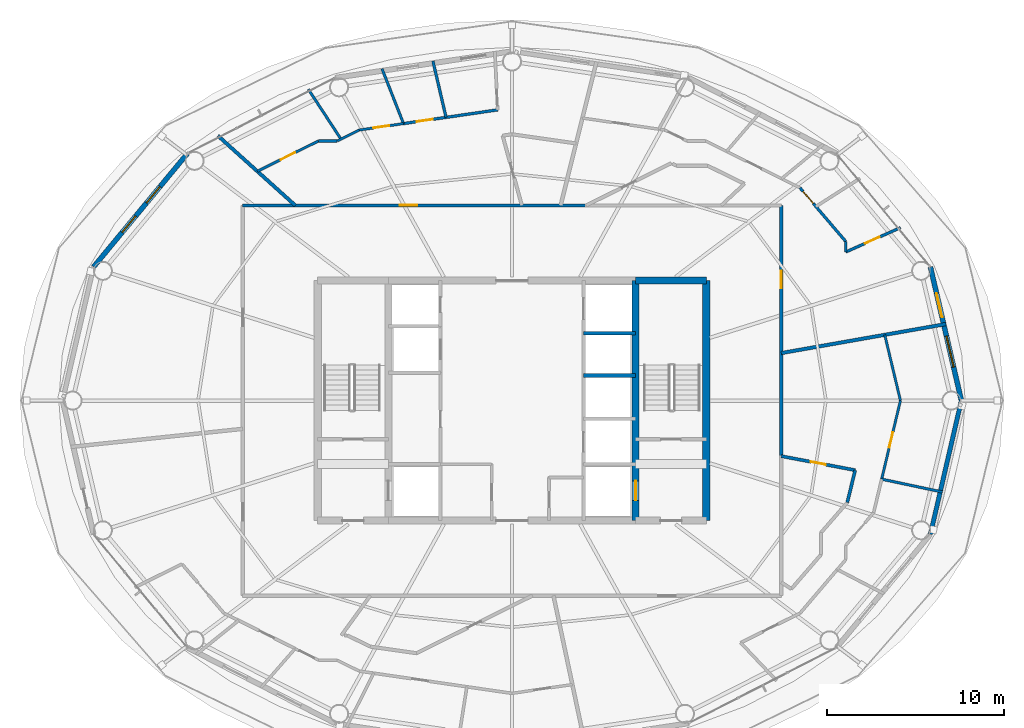
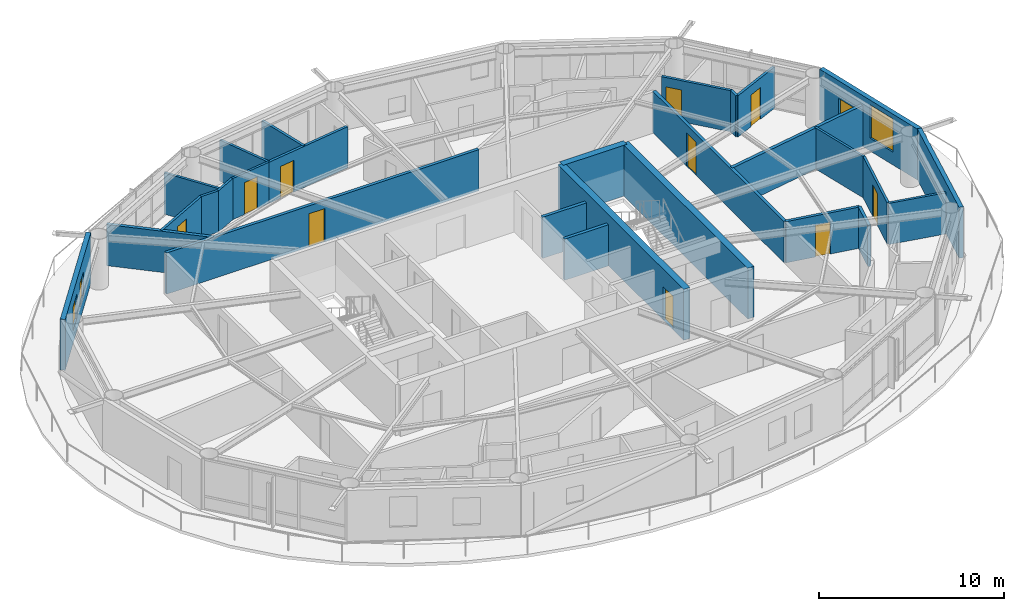
# One storey, part 18 of 23: 28 walls, 11 doors, 3 windows, 14 openings.
"""IFC4 building model written with IfcOpenShell, lengths in metres."""

import ifcopenshell
import ifcopenshell.guid

model = None  # the IFC model being written
_history = None  # IfcOwnerHistory: only IFC2X3 demands one
_inside = {}  # id of a spatial element -> (the spatial element, [elements in it])
_under = {}  # id of a project, library or spatial element -> (it, [spatial elements below it])
_declared = {}  # id of a project -> (the project, [libraries it declares])
_typed = {}  # id of a type object -> (the type object, [elements of that type])
_made_of = {}  # id of a material, layer set ... -> (it, [elements and type objects made of it])


def new_model(schema):
    """Start an empty IFC model of exactly this schema.

    Asked for "IFC4X3", IfcOpenShell would pick the latest addendum, in which some entities
    have other attributes; the version numbers below select the first issue.
    IFC2X3 requires an IfcOwnerHistory on every rooted entity: one is made here for all.
    """
    global model, _history
    if schema == "IFC4X3":
        model = ifcopenshell.file(schema_version=(4, 3, 0, 0))
    else:
        model = ifcopenshell.file(schema=schema)
    _inside.clear()
    _under.clear()
    _declared.clear()
    _typed.clear()
    _made_of.clear()
    _history = None
    if model.schema == "IFC2X3":
        org = make("IfcOrganization", Name="unknown")
        user = make(
            "IfcPersonAndOrganization",
            ThePerson=make("IfcPerson", FamilyName="unknown"),
            TheOrganization=org,
        )
        app = make(
            "IfcApplication",
            ApplicationDeveloper=org,
            Version="unknown",
            ApplicationFullName="unknown",
            ApplicationIdentifier="unknown",
        )
        _history = make(
            "IfcOwnerHistory",
            OwningUser=user,
            OwningApplication=app,
            ChangeAction="ADDED",
            CreationDate=0,
        )
    return model


def make(cls, **values):
    """One entity of the class cls with the attributes given. An attribute that is None is left unset."""
    return model.create_entity(
        cls, **{name: value for name, value in values.items() if value is not None}
    )


def rooted(cls, **values):
    """An entity with a GlobalId (a new one), such as an element, a storey or a relation."""
    return make(cls, GlobalId=ifcopenshell.guid.new(), OwnerHistory=_history, **values)


def si_unit(unit_type, name, prefix=None):
    """IfcSIUnit, for example si_unit("LENGTHUNIT", "METRE", prefix="MILLI")."""
    return make("IfcSIUnit", UnitType=unit_type, Prefix=prefix, Name=name)


def assignment(units):
    """IfcUnitAssignment: the units of a project."""
    return None if units is None else make("IfcUnitAssignment", Units=units)


def point(xyz):
    """IfcCartesianPoint."""
    return None if xyz is None else make("IfcCartesianPoint", Coordinates=xyz)


def direction(xyz):
    """IfcDirection."""
    return None if xyz is None else make("IfcDirection", DirectionRatios=xyz)


def frame(location, z_axis=None, x_axis=None):
    """IfcAxis2Placement3D, a coordinate frame: its origin and axes. An axis left out is left unset."""
    return make(
        "IfcAxis2Placement3D",
        Location=point(location),
        Axis=direction(z_axis),
        RefDirection=direction(x_axis),
    )


def frame_2d(location, x_axis=None):
    """IfcAxis2Placement2D, a coordinate frame in the plane: its origin and x axis."""
    return make(
        "IfcAxis2Placement2D", Location=point(location), RefDirection=direction(x_axis)
    )


def origin():
    """The frame at (0, 0, 0) with its axes left unset."""
    return frame((0.0, 0.0, 0.0))


def place(relative_to, where):
    """IfcLocalPlacement: puts the frame where relative to a parent placement (None: the world)."""
    return make(
        "IfcLocalPlacement", PlacementRelTo=relative_to, RelativePlacement=where
    )


def context(
    kind, dimensions, precision=None, world=None, true_north=None, identifier=None
):
    """IfcGeometricRepresentationContext, for example the 3D "Model" context."""
    return make(
        "IfcGeometricRepresentationContext",
        ContextIdentifier=identifier,
        ContextType=kind,
        CoordinateSpaceDimension=dimensions,
        Precision=precision,
        WorldCoordinateSystem=world,
        TrueNorth=true_north,
    )


def subcontext(parent, identifier, kind, view, scale=None):
    """IfcGeometricRepresentationSubContext, for example "Body" below "Model"."""
    return make(
        "IfcGeometricRepresentationSubContext",
        ContextIdentifier=identifier,
        ContextType=kind,
        ParentContext=parent,
        TargetScale=scale,
        TargetView=view,
    )


def project(units=None, contexts=None):
    """IfcProject with its units and contexts."""
    return rooted(
        "IfcProject",
        Name="project",
        RepresentationContexts=contexts,
        UnitsInContext=assignment(units),
    )


def spatial(cls, under=None, at=None, **own):
    """A site, building, storey or space (cls), placed at a placement, below another one or the project."""
    s = rooted(cls, ObjectPlacement=at, **own)
    if under is not None:
        _under.setdefault(under.id(), (under, []))[1].append(s)
    return s


def profile(cls, at=None, kind="AREA", **sizes):
    """A parametric profile (cls). Its sizes go by their IFC names, for example OverallWidth=200.0."""
    return make(cls, ProfileType=kind, Position=at, **sizes)


def rectangle(**sizes):
    """IfcRectangleProfileDef."""
    return profile("IfcRectangleProfileDef", **sizes)


def extrude(swept, where, along, depth):
    """IfcExtrudedAreaSolid: the profile swept, set in the frame where, extruded along a direction by depth."""
    return make(
        "IfcExtrudedAreaSolid",
        SweptArea=swept,
        Position=where,
        ExtrudedDirection=direction(along),
        Depth=depth,
    )


def shape(context_of_items, identifier, shape_type, items):
    """IfcShapeRepresentation: the items that make up one representation, for example the "Body"."""
    return make(
        "IfcShapeRepresentation",
        ContextOfItems=context_of_items,
        RepresentationIdentifier=identifier,
        RepresentationType=shape_type,
        Items=items,
    )


def material(Name=None, Category=None):
    """IfcMaterial."""
    return make("IfcMaterial", Name=Name, Category=Category)


def layer(
    of_material, thickness, ventilated=None, Name=None, Category=None, Priority=None
):
    """IfcMaterialLayer: one layer of a wall or slab, of a material (None: an air gap)."""
    return make(
        "IfcMaterialLayer",
        Material=of_material,
        LayerThickness=thickness,
        IsVentilated=ventilated,
        Name=Name,
        Category=Category,
        Priority=Priority,
    )


def layer_set(layers, Name=None):
    """IfcMaterialLayerSet."""
    return make("IfcMaterialLayerSet", MaterialLayers=layers, LayerSetName=Name)


def made_of(thing, what):
    """Note that an element or type object is made of a material, layer set ...; save() writes the relation."""
    if what is not None:
        _made_of.setdefault(what.id(), (what, []))[1].append(thing)
    return thing


def type_object(cls, material=None, **own):
    """A type object (cls), such as IfcWallType, which elements share."""
    return made_of(rooted(cls, **own), material)


def element(
    cls,
    number,
    at=None,
    inside=None,
    cuts=None,
    type_object=None,
    material=None,
    context=None,
    identifier="Body",
    shape_type=None,
    held_by="IfcProductDefinitionShape",
    body=None,
    shapes=None,
    **own,
):
    """One element of the class cls, such as IfcWall. Its Tag is "e" and its number.

    at: its placement. inside: the storey or other place that contains it. cuts: it is an
    opening in that element (IfcRelVoidsElement). A single representation is given by context,
    identifier, shape_type and body (its items); several are given by shapes. held_by: the class
    of the entity that holds the representations. save() writes the other relations.
    """
    e = rooted(cls, Tag="e%d" % number, ObjectPlacement=at, **own)
    if body is not None:
        shapes = [shape(context, identifier, shape_type, body)]
    if shapes is not None:
        e.Representation = make(held_by, Representations=shapes)
    if inside is not None:
        _inside.setdefault(inside.id(), (inside, []))[1].append(e)
    if cuts is not None:
        rooted(
            "IfcRelVoidsElement", RelatingBuildingElement=cuts, RelatedOpeningElement=e
        )
    if type_object is not None:
        _typed.setdefault(type_object.id(), (type_object, []))[1].append(e)
    return made_of(e, material)


def fill(opening, filler):
    """IfcRelFillsElement: the door or window that sits in an opening."""
    return rooted(
        "IfcRelFillsElement",
        RelatingOpeningElement=opening,
        RelatedBuildingElement=filler,
    )


def aggregate(whole, parts):
    """IfcRelAggregates: a whole, such as a stair, and the parts it consists of."""
    return rooted("IfcRelAggregates", RelatingObject=whole, RelatedObjects=parts)


def save(model, path):
    """Write the relations noted so far, then the file.

    IfcRelAggregates (storeys below a building ...), IfcRelContainedInSpatialStructure (elements
    in a storey), IfcRelDefinesByType, IfcRelAssociatesMaterial and IfcRelDeclares: one each for
    every whole, place, type object, material and project.
    """
    for whole, parts in _under.values():
        aggregate(whole, parts)
    for where, things in _inside.values():
        rooted(
            "IfcRelContainedInSpatialStructure",
            RelatedElements=things,
            RelatingStructure=where,
        )
    for kind, things in _typed.values():
        rooted("IfcRelDefinesByType", RelatedObjects=things, RelatingType=kind)
    for what, things in _made_of.values():
        rooted("IfcRelAssociatesMaterial", RelatedObjects=things, RelatingMaterial=what)
    for by, libraries in _declared.values():
        rooted("IfcRelDeclares", RelatingContext=by, RelatedDefinitions=libraries)
    model.write(path)


model = new_model("IFC4")

# Units and contexts
model_context = context("Model", 3, precision=1e-05, world=origin(), true_north=direction((0.0, 1.0)))
body_context = subcontext(model_context, "Body", "Model", "MODEL_VIEW")
ifc_project = project(units=[si_unit("LENGTHUNIT", "METRE"), si_unit("AREAUNIT", "SQUARE_METRE"), si_unit("VOLUMEUNIT", "CUBIC_METRE"), si_unit("PLANEANGLEUNIT", "RADIAN"), si_unit("MASSUNIT", "GRAM", prefix="KILO")], contexts=[model_context])

# Site, building, storey
site_placement = place(None, origin())
site = spatial("IfcSite", under=ifc_project, at=site_placement, CompositionType="ELEMENT")
building_placement = place(site_placement, origin())
building = spatial("IfcBuilding", under=site, at=building_placement, Name="Sarneth Arch Tower", CompositionType="ELEMENT")
storey_placement = place(building_placement, frame((0.0, 0.0, 249.60009765625)))
storey = spatial("IfcBuildingStorey", under=building, at=storey_placement, Name="L64", CompositionType="ELEMENT", Elevation=249.60009765625)

# Walls
ifc_material_1 = material(Name="Concrete C50/60", Category="concrete")
ifc_layer_1 = layer(ifc_material_1, 0.39990234375)
ifc_layer_set_1 = layer_set([ifc_layer_1], Name="Concrete C50/60")
wall_type_1 = type_object("IfcWallType", Name="WALL-CORE-400", PredefinedType="SHEAR", material=ifc_layer_set_1)
wall_1_placement = place(storey_placement, frame((55.0, 48.800048828125, 0.0), z_axis=(0.0, 0.0, 1.0), x_axis=(1.0, 0.0, 0.0)))
element("IfcWall", 1, at=wall_1_placement, inside=storey, type_object=wall_type_1, Name="L64 Core shear wall N-E", PredefinedType="SHEAR", context=body_context, shape_type="SweptSolid", body=[
    extrude(rectangle(XDim=4.0, YDim=0.39990234375, at=frame_2d((2.0, 0.0))), origin(), (0.0, 0.0, 1.0), 3.35986328125),
])
wall_2_placement = place(storey_placement, frame((59.0, 35.199951171875, 0.0), z_axis=(0.0, 0.0, 1.0), x_axis=(0.0, 1.0, 0.0)))
element("IfcWall", 2, at=wall_2_placement, inside=storey, type_object=wall_type_1, Name="L64 Core shear wall E", PredefinedType="SHEAR", context=body_context, shape_type="SweptSolid", body=[
    extrude(rectangle(XDim=13.60009765625, YDim=0.39990234375, at=frame_2d((6.800048828125, 0.0))), origin(), (0.0, 0.0, 1.0), 3.35986328125),
])

# Wall, opening, door
wall_3_placement = place(storey_placement, frame((55.0, 35.199951171875, 0.0), z_axis=(0.0, 0.0, 1.0), x_axis=(0.0, 1.0, 0.0)))
wall_3 = element("IfcWall", 3, at=wall_3_placement, inside=storey, type_object=wall_type_1, Name="L64 Core shear wall WEB-E", PredefinedType="SHEAR", context=body_context, shape_type="SweptSolid", body=[
    extrude(rectangle(XDim=13.60009765625, YDim=0.39990234375, at=frame_2d((6.800048828125, 0.0))), origin(), (0.0, 0.0, 1.0), 3.35986328125),
])
opening_1_placement = place(wall_3_placement, frame((1.14990234375, 0.0, 0.0)))
opening_1 = element("IfcOpeningElement", 4, at=opening_1_placement, cuts=wall_3, Name="Opening LD-1", PredefinedType="OPENING", context=body_context, shape_type="SweptSolid", body=[
    extrude(rectangle(XDim=1.10009765625, YDim=2.199951171875, at=frame_2d((0.550048828125, 1.10009765625))), frame((0.0, 0.2099609375, 0.0), z_axis=(0.0, -1.0, 0.0), x_axis=(1.0, 0.0, 0.0)), (0.0, 0.0, 1.0), 0.419921875),
])
ifc_material_2 = material(Name="Brushed Stainless Steel 304 lift landing door", Category="steel")
door_type_1 = type_object("IfcDoorType", Name="DR-LIFT-SLIDE-1100", OperationType="SLIDING_TO_LEFT", PredefinedType="DOOR", material=ifc_material_2)
door_1_placement = place(opening_1_placement, origin())
door_1 = element("IfcDoor", 5, at=door_1_placement, inside=storey, type_object=door_type_1, Name="L64 Firefighting lift landing door FL-2", OperationType="SLIDING_TO_RIGHT", OverallHeight=2.199951171875, OverallWidth=1.10009765625, PredefinedType="DOOR", context=body_context, shape_type="SweptSolid", body=[
    extrude(rectangle(XDim=1.10009765625, YDim=2.199951171875, at=frame_2d((0.550048828125, 1.10009765625))), frame((0.0, 0.02490234375, 0.0), z_axis=(0.0, -1.0, 0.0), x_axis=(1.0, 0.0, 0.0)), (0.0, 0.0, 1.0), 0.050048828125),
])
fill(opening_1, door_1)

ifc_material_3 = material(Name="Double steel-stud corridor fire wall", Category="steel")
ifc_layer_2 = layer(ifc_material_3, 0.18994140625)
ifc_layer_set_2 = layer_set([ifc_layer_2], Name="Double steel-stud corridor fire wall")
wall_type_2 = type_object("IfcWallType", Name="WALL-CORR-190", PredefinedType="PARTITIONING", material=ifc_layer_set_2)
wall_4_placement = place(storey_placement, frame((32.75, 53.050048828125, 0.0), z_axis=(0.0, 0.0, 1.0), x_axis=(1.0, 0.0, 0.0)))
wall_4 = element("IfcWall", 6, at=wall_4_placement, inside=storey, type_object=wall_type_2, Name="L64 Interior partition W-L64-TP-005", PredefinedType="PARTITIONING", context=body_context, shape_type="SweptSolid", body=[
    extrude(rectangle(XDim=19.526611328125, YDim=0.18994140625, at=frame_2d((9.76318359375, 0.0))), origin(), (0.0, 0.0, 1.0), 2.719970703125),
])
opening_2_placement = place(wall_4_placement, frame((8.885986328125, 0.0, 0.0)))
opening_2 = element("IfcOpeningElement", 7, at=opening_2_placement, cuts=wall_4, Name="Opening FD-08", PredefinedType="OPENING", context=body_context, shape_type="SweptSolid", body=[
    extrude(rectangle(XDim=1.0, YDim=2.199951171875, at=frame_2d((0.5, 1.10009765625))), frame((0.0, 0.10498046875, 0.0), z_axis=(0.0, -1.0, 0.0), x_axis=(1.0, 0.0, 0.0)), (0.0, 0.0, 1.0), 0.2099609375),
])
ifc_material_4 = material(Name="Hardwood timber acoustic fire door", Category="wood")
door_type_2 = type_object("IfcDoorType", Name="DR-FD60-1000", OperationType="SINGLE_SWING_LEFT", PredefinedType="DOOR", material=ifc_material_4)
door_2_placement = place(opening_2_placement, origin())
door_2 = element("IfcDoor", 8, at=door_2_placement, inside=storey, type_object=door_type_2, Name="L64 Interior door DR-L64-U2-ENT", OperationType="SINGLE_SWING_LEFT", OverallHeight=2.199951171875, OverallWidth=1.0, PredefinedType="DOOR", context=body_context, shape_type="SweptSolid", body=[
    extrude(rectangle(XDim=1.0, YDim=2.199951171875, at=frame_2d((0.5, 1.10009765625))), frame((0.0, 0.02490234375, 0.0), z_axis=(0.0, -1.0, 0.0), x_axis=(1.0, 0.0, 0.0)), (0.0, 0.0, 1.0), 0.050048828125),
])
fill(opening_2, door_2)

wall_5_placement = place(storey_placement, frame((63.25, 53.050048828125, 0.0), z_axis=(0.0, 0.0, 1.0), x_axis=(0.0, -1.0, 0.0)))
wall_5 = element("IfcWall", 9, at=wall_5_placement, inside=storey, type_object=wall_type_2, Name="L64 Interior partition W-L64-TP-003", PredefinedType="PARTITIONING", context=body_context, shape_type="SweptSolid", body=[
    extrude(rectangle(XDim=14.230224609375, YDim=0.18994140625, at=frame_2d((7.115234375, 0.0))), origin(), (0.0, 0.0, 1.0), 2.719970703125),
])
opening_3_placement = place(wall_5_placement, frame((3.69677734375, 0.0, 0.0)))
opening_3 = element("IfcOpeningElement", 10, at=opening_3_placement, cuts=wall_5, Name="Opening FD-08", PredefinedType="OPENING", context=body_context, shape_type="SweptSolid", body=[
    extrude(rectangle(XDim=1.0, YDim=2.199951171875, at=frame_2d((0.5, 1.10009765625))), frame((0.0, 0.10498046875, 0.0), z_axis=(0.0, -1.0, 0.0), x_axis=(1.0, 0.0, 0.0)), (0.0, 0.0, 1.0), 0.2099609375),
])
door_3_placement = place(opening_3_placement, origin())
door_3 = element("IfcDoor", 11, at=door_3_placement, inside=storey, type_object=door_type_2, Name="L64 Interior door DR-L64-U1-ENT", OperationType="SINGLE_SWING_LEFT", OverallHeight=2.199951171875, OverallWidth=1.0, PredefinedType="DOOR", context=body_context, shape_type="SweptSolid", body=[
    extrude(rectangle(XDim=1.0, YDim=2.199951171875, at=frame_2d((0.5, 1.10009765625))), frame((0.0, 0.02490234375, 0.0), z_axis=(0.0, -1.0, 0.0), x_axis=(1.0, 0.0, 0.0)), (0.0, 0.0, 1.0), 0.050048828125),
])
fill(opening_3, door_3)

# Wall
ifc_material_5 = material(Name="Extruded terracotta rainscreen on Concrete C40/50 backing", Category="masonry")
ifc_layer_3 = layer(ifc_material_5, 0.25)
ifc_layer_set_3 = layer_set([ifc_layer_3], Name="Extruded terracotta rainscreen on Concrete C40/50 backing")
wall_type_3 = type_object("IfcWallType", Name="WALL-EXT-SPAND-250", PredefinedType="SOLIDWALL", material=ifc_layer_set_3)
wall_6_placement = place(storey_placement, frame((71.69384765625, 34.430419921875, 0.0), z_axis=(0.0, 0.0, 1.0), x_axis=(0.225635078214, 0.974211892495, 0.0)))
element("IfcWall", 12, at=wall_6_placement, inside=storey, type_object=wall_type_3, Name="L64 Terracotta perimeter wall 16", PredefinedType="SOLIDWALL", context=body_context, shape_type="SweptSolid", body=[
    extrude(rectangle(XDim=7.77001953125, YDim=0.25, at=frame_2d((3.885009765625, 0.0))), origin(), (0.0, 0.0, 1.0), 3.35986328125),
])

# Wall, openings, door, window
ifc_material_6 = material(Name="Extruded terracotta rainscreen on Concrete C40/50 backing", Category="masonry")
ifc_layer_4 = layer(ifc_material_6, 0.280029296875)
ifc_layer_set_4 = layer_set([ifc_layer_4], Name="Extruded terracotta rainscreen on Concrete C40/50 backing")
wall_type_4 = type_object("IfcWallType", Name="WALL-EXT-TERRA-280", PredefinedType="SOLIDWALL", material=ifc_layer_set_4)
wall_7_placement = place(storey_placement, frame((73.447021484375, 42.0, 0.0), z_axis=(0.0, 0.0, 1.0), x_axis=(-0.225635078214, 0.974211892495, 0.0)))
wall_7 = element("IfcWall", 13, at=wall_7_placement, inside=storey, type_object=wall_type_4, Name="L64 Terracotta perimeter wall 01", PredefinedType="SOLIDWALL", context=body_context, shape_type="SweptSolid", body=[
    extrude(rectangle(XDim=7.77001953125, YDim=0.280029296875, at=frame_2d((3.885009765625, 0.0))), origin(), (0.0, 0.0, 1.0), 3.35986328125),
])
opening_4_placement = place(wall_7_placement, frame((1.947998046875, 0.0, 0.85009765625)))
opening_4 = element("IfcOpeningElement", 14, at=opening_4_placement, cuts=wall_7, Name="Opening W-04", PredefinedType="OPENING", context=body_context, shape_type="SweptSolid", body=[
    extrude(rectangle(XDim=1.800048828125, YDim=2.199951171875, at=frame_2d((0.89990234375, 1.10009765625))), frame((0.0, 0.14990234375, 0.0), z_axis=(0.0, -1.0, 0.0), x_axis=(1.0, 0.0, 0.0)), (0.0, 0.0, 1.0), 0.300048828125),
])
opening_5_placement = place(wall_7_placement, frame((4.842041015625, 0.0, 0.0)))
opening_5 = element("IfcOpeningElement", 15, at=opening_5_placement, cuts=wall_7, Name="Opening BD-2", PredefinedType="OPENING", context=body_context, shape_type="SweptSolid", body=[
    extrude(rectangle(XDim=1.39990234375, YDim=2.199951171875, at=frame_2d((0.699951171875, 1.10009765625))), frame((0.0, 0.14990234375, 0.0), z_axis=(0.0, -1.0, 0.0), x_axis=(1.0, 0.0, 0.0)), (0.0, 0.0, 1.0), 0.300048828125),
])
ifc_material_7 = material(Name="Thermally broken Aluminium 6063-T6 and laminated safety glass", Category="aluminium")
door_type_3 = type_object("IfcDoorType", Name="DR-BALC-GLZ-1400", OperationType="SINGLE_SWING_LEFT", PredefinedType="DOOR", material=ifc_material_7)
door_4_placement = place(opening_5_placement, origin())
door_4 = element("IfcDoor", 16, at=door_4_placement, inside=storey, type_object=door_type_3, Name="L64 Balcony glazed door 01", OperationType="SINGLE_SWING_LEFT", OverallHeight=2.199951171875, OverallWidth=1.39990234375, PredefinedType="DOOR", context=body_context, shape_type="SweptSolid", body=[
    extrude(rectangle(XDim=1.39990234375, YDim=2.199951171875, at=frame_2d((0.699951171875, 1.10009765625))), frame((0.0, 0.02490234375, 0.0), z_axis=(0.0, -1.0, 0.0), x_axis=(1.0, 0.0, 0.0)), (0.0, 0.0, 1.0), 0.050048828125),
])
fill(opening_5, door_4)
ifc_material_8 = material(Name="Thermally broken Aluminium 6063-T6 and low-e laminated IGU", Category="aluminium")
window_type_1 = type_object("IfcWindowType", Name="WIN-TWR-1800x2200", PartitioningType="DOUBLE_PANEL_VERTICAL", PredefinedType="WINDOW", material=ifc_material_8)
window_1_placement = place(opening_4_placement, origin())
window_1 = element("IfcWindow", 17, at=window_1_placement, inside=storey, type_object=window_type_1, Name="L64 Exterior window 01A", OverallHeight=2.199951171875, OverallWidth=1.800048828125, PartitioningType="SINGLE_PANEL", PredefinedType="WINDOW", context=body_context, shape_type="SweptSolid", body=[
    extrude(rectangle(XDim=1.800048828125, YDim=2.199951171875, at=frame_2d((0.89990234375, 1.10009765625))), frame((0.0, 0.030029296875, 0.0), z_axis=(0.0, -1.0, 0.0), x_axis=(1.0, 0.0, 0.0)), (0.0, 0.0, 1.0), 0.06005859375),
])
fill(opening_4, window_1)

# Wall, openings, windows
wall_8_placement = place(storey_placement, frame((29.617431640625, 55.986572265625, 0.0), z_axis=(0.0, 0.0, 1.0), x_axis=(-0.63761509934, -0.770355103243, 0.0)))
wall_8 = element("IfcWall", 18, at=wall_8_placement, inside=storey, type_object=wall_type_4, Name="L64 Terracotta perimeter wall 07", PredefinedType="SOLIDWALL", context=body_context, shape_type="SweptSolid", body=[
    extrude(rectangle(XDim=8.329833984375, YDim=0.280029296875, at=frame_2d((4.1650390625, 0.0))), origin(), (0.0, 0.0, 1.0), 3.35986328125),
])
opening_6_placement = place(wall_8_placement, frame((2.42626953125, 0.0, 0.85009765625)))
opening_6 = element("IfcOpeningElement", 19, at=opening_6_placement, cuts=wall_8, Name="Opening W-10", PredefinedType="OPENING", context=body_context, shape_type="SweptSolid", body=[
    extrude(rectangle(XDim=1.199951171875, YDim=1.60009765625, at=frame_2d((0.60009765625, 0.800048828125))), frame((0.0, 0.14990234375, 0.0), z_axis=(0.0, -1.0, 0.0), x_axis=(1.0, 0.0, 0.0)), (0.0, 0.0, 1.0), 0.300048828125),
])
opening_7_placement = place(wall_8_placement, frame((4.59619140625, 0.0, 0.85009765625)))
opening_7 = element("IfcOpeningElement", 20, at=opening_7_placement, cuts=wall_8, Name="Opening W-10", PredefinedType="OPENING", context=body_context, shape_type="SweptSolid", body=[
    extrude(rectangle(XDim=1.199951171875, YDim=1.60009765625, at=frame_2d((0.60009765625, 0.800048828125))), frame((0.0, 0.14990234375, 0.0), z_axis=(0.0, -1.0, 0.0), x_axis=(1.0, 0.0, 0.0)), (0.0, 0.0, 1.0), 0.300048828125),
])
ifc_material_9 = material(Name="Thermally broken Aluminium 6063-T6 and low-e laminated IGU", Category="aluminium")
window_type_2 = type_object("IfcWindowType", Name="WIN-TWR-1200x1600", PartitioningType="SINGLE_PANEL", PredefinedType="WINDOW", material=ifc_material_9)
window_2_placement = place(opening_6_placement, origin())
window_2 = element("IfcWindow", 21, at=window_2_placement, inside=storey, type_object=window_type_2, Name="L64 Exterior window 07A", OverallHeight=1.60009765625, OverallWidth=1.199951171875, PartitioningType="SINGLE_PANEL", PredefinedType="WINDOW", context=body_context, shape_type="SweptSolid", body=[
    extrude(rectangle(XDim=1.199951171875, YDim=1.60009765625, at=frame_2d((0.60009765625, 0.800048828125))), frame((0.0, 0.030029296875, 0.0), z_axis=(0.0, -1.0, 0.0), x_axis=(1.0, 0.0, 0.0)), (0.0, 0.0, 1.0), 0.06005859375),
])
fill(opening_6, window_2)
window_3_placement = place(opening_7_placement, origin())
window_3 = element("IfcWindow", 22, at=window_3_placement, inside=storey, type_object=window_type_2, Name="L64 Exterior window 07B", OverallHeight=1.60009765625, OverallWidth=1.199951171875, PartitioningType="SINGLE_PANEL", PredefinedType="WINDOW", context=body_context, shape_type="SweptSolid", body=[
    extrude(rectangle(XDim=1.199951171875, YDim=1.60009765625, at=frame_2d((0.60009765625, 0.800048828125))), frame((0.0, 0.030029296875, 0.0), z_axis=(0.0, -1.0, 0.0), x_axis=(1.0, 0.0, 0.0)), (0.0, 0.0, 1.0), 0.06005859375),
])
fill(opening_7, window_3)

# Wall, opening, door
ifc_material_10 = material(Name="Apartment internal stud partition", Category="gypsum")
ifc_layer_5 = layer(ifc_material_10, 0.139892578125)
ifc_layer_set_5 = layer_set([ifc_layer_5], Name="Apartment internal stud partition")
wall_type_5 = type_object("IfcWallType", Name="WALL-PART-140", PredefinedType="PARTITIONING", material=ifc_layer_set_5)
wall_9_placement = place(storey_placement, frame((68.93359375, 37.55029296875, 0.0), z_axis=(0.0, 0.0, 1.0), x_axis=(0.232301055554, 0.972643932582, 0.0)))
wall_9 = element("IfcWall", 23, at=wall_9_placement, inside=storey, type_object=wall_type_5, Name="L64 Interior partition W-L64-TP-094", PredefinedType="PARTITIONING", context=body_context, shape_type="SweptSolid", body=[
    extrude(rectangle(XDim=4.574951171875, YDim=0.139892578125, at=frame_2d((2.28759765625, 0.0))), origin(), (0.0, 0.0, 1.0), 2.719970703125),
])
opening_8_placement = place(wall_9_placement, frame((1.83740234375, 0.0, 0.0)))
opening_8 = element("IfcOpeningElement", 24, at=opening_8_placement, cuts=wall_9, Name="Opening ID-01", PredefinedType="OPENING", context=body_context, shape_type="SweptSolid", body=[
    extrude(rectangle(XDim=0.89990234375, YDim=2.10009765625, at=frame_2d((0.449951171875, 1.050048828125))), frame((0.0, 0.079833984375, 0.0), z_axis=(0.0, -1.0, 0.0), x_axis=(1.0, 0.0, 0.0)), (0.0, 0.0, 1.0), 0.159912109375),
])
ifc_material_11 = material(Name="Engineered hardwood flush door", Category="wood")
door_type_4 = type_object("IfcDoorType", Name="DR-INT-900", OperationType="SINGLE_SWING_LEFT", PredefinedType="DOOR", material=ifc_material_11)
door_5_placement = place(opening_8_placement, origin())
door_5 = element("IfcDoor", 25, at=door_5_placement, inside=storey, type_object=door_type_4, Name="L64 Interior door DR-L64-U5-BED2", OperationType="SINGLE_SWING_RIGHT", OverallHeight=2.10009765625, OverallWidth=0.89990234375, PredefinedType="DOOR", context=body_context, shape_type="SweptSolid", body=[
    extrude(rectangle(XDim=0.89990234375, YDim=2.10009765625, at=frame_2d((0.449951171875, 1.050048828125))), frame((0.0, 0.02490234375, 0.0), z_axis=(0.0, -1.0, 0.0), x_axis=(1.0, 0.0, 0.0)), (0.0, 0.0, 1.0), 0.050048828125),
])
fill(opening_8, door_5)

# Wall
wall_10_placement = place(storey_placement, frame((69.996337890625, 42.0, 0.0), z_axis=(0.0, 0.0, 1.0), x_axis=(-0.232313421965, 0.972640978972, 0.0)))
element("IfcWall", 26, at=wall_10_placement, inside=storey, type_object=wall_type_5, Name="L64 Interior partition W-L64-TP-095", PredefinedType="PARTITIONING", context=body_context, shape_type="SweptSolid", body=[
    extrude(rectangle(XDim=3.826416015625, YDim=0.139892578125, at=frame_2d((1.9130859375, 0.0))), origin(), (0.0, 0.0, 1.0), 2.719970703125),
])

# Wall, opening, door
wall_11_placement = place(storey_placement, frame((41.855712890625, 57.68408203125, 0.0), z_axis=(0.0, 0.0, 1.0), x_axis=(-0.989527541126, -0.144344190576, 0.0)))
wall_11 = element("IfcWall", 27, at=wall_11_placement, inside=storey, type_object=wall_type_5, Name="L64 Interior partition W-L64-TP-048", PredefinedType="PARTITIONING", context=body_context, shape_type="SweptSolid", body=[
    extrude(rectangle(XDim=2.537109375, YDim=0.139892578125, at=frame_2d((1.2685546875, 0.0))), origin(), (0.0, 0.0, 1.0), 2.719970703125),
])
opening_9_placement = place(wall_11_placement, frame((0.818603515625, 0.0, 0.0)))
opening_9 = element("IfcOpeningElement", 28, at=opening_9_placement, cuts=wall_11, Name="Opening ID-01", PredefinedType="OPENING", context=body_context, shape_type="SweptSolid", body=[
    extrude(rectangle(XDim=0.89990234375, YDim=2.10009765625, at=frame_2d((0.449951171875, 1.050048828125))), frame((0.0, 0.079833984375, 0.0), z_axis=(0.0, -1.0, 0.0), x_axis=(1.0, 0.0, 0.0)), (0.0, 0.0, 1.0), 0.159912109375),
])
door_6_placement = place(opening_9_placement, origin())
door_6 = element("IfcDoor", 29, at=door_6_placement, inside=storey, type_object=door_type_4, Name="L64 Interior door DR-L64-U2-BED1", OperationType="SINGLE_SWING_RIGHT", OverallHeight=2.10009765625, OverallWidth=0.89990234375, PredefinedType="DOOR", context=body_context, shape_type="SweptSolid", body=[
    extrude(rectangle(XDim=0.89990234375, YDim=2.10009765625, at=frame_2d((0.449951171875, 1.050048828125))), frame((0.0, 0.02490234375, 0.0), z_axis=(0.0, -1.0, 0.0), x_axis=(1.0, 0.0, 0.0)), (0.0, 0.0, 1.0), 0.050048828125),
])
fill(opening_9, door_6)

# Wall
wall_12_placement = place(storey_placement, frame((39.34521484375, 57.31787109375, 0.0), z_axis=(0.0, 0.0, 1.0), x_axis=(-0.895584310315, -0.444891833053, 0.0)))
element("IfcWall", 30, at=wall_12_placement, inside=storey, type_object=wall_type_5, Name="L64 Interior partition W-L64-TP-049", PredefinedType="PARTITIONING", context=body_context, shape_type="SweptSolid", body=[
    extrude(rectangle(XDim=1.388916015625, YDim=0.139892578125, at=frame_2d((0.6943359375, 0.0))), origin(), (0.0, 0.0, 1.0), 2.719970703125),
])

# Wall, opening, door
ifc_material_12 = material(Name="Acoustic gypsum stud partition", Category="gypsum")
ifc_layer_6 = layer(ifc_material_12, 0.14990234375)
ifc_layer_set_6 = layer_set([ifc_layer_6], Name="Acoustic gypsum stud partition")
wall_type_6 = type_object("IfcWallType", Name="WALL-PART-150", PredefinedType="PARTITIONING", material=ifc_layer_set_6)
wall_13_placement = place(storey_placement, frame((33.581298828125, 54.982666015625, 0.0), z_axis=(0.0, 0.0, 1.0), x_axis=(0.895475171501, 0.445111466069, 0.0)))
wall_13 = element("IfcWall", 31, at=wall_13_placement, inside=storey, type_object=wall_type_6, Name="L64 Interior partition W-L64-TP-050", PredefinedType="PARTITIONING", context=body_context, shape_type="SweptSolid", body=[
    extrude(rectangle(XDim=3.858154296875, YDim=0.14990234375, at=frame_2d((1.92919921875, 0.0))), origin(), (0.0, 0.0, 1.0), 2.719970703125),
])
opening_10_placement = place(wall_13_placement, frame((1.47900390625, 0.0, 0.0)))
opening_10 = element("IfcOpeningElement", 32, at=opening_10_placement, cuts=wall_13, Name="Opening ID-01", PredefinedType="OPENING", context=body_context, shape_type="SweptSolid", body=[
    extrude(rectangle(XDim=0.89990234375, YDim=2.10009765625, at=frame_2d((0.449951171875, 1.050048828125))), frame((0.0, 0.0849609375, 0.0), z_axis=(0.0, -1.0, 0.0), x_axis=(1.0, 0.0, 0.0)), (0.0, 0.0, 1.0), 0.169921875),
])
door_7_placement = place(opening_10_placement, origin())
door_7 = element("IfcDoor", 33, at=door_7_placement, inside=storey, type_object=door_type_4, Name="L64 Interior door DR-L64-U2-BED2", OperationType="SINGLE_SWING_RIGHT", OverallHeight=2.10009765625, OverallWidth=0.89990234375, PredefinedType="DOOR", context=body_context, shape_type="SweptSolid", body=[
    extrude(rectangle(XDim=0.89990234375, YDim=2.10009765625, at=frame_2d((0.449951171875, 1.050048828125))), frame((0.0, 0.02490234375, 0.0), z_axis=(0.0, -1.0, 0.0), x_axis=(1.0, 0.0, 0.0)), (0.0, 0.0, 1.0), 0.050048828125),
])
fill(opening_10, door_7)

# Walls
wall_14_placement = place(storey_placement, frame((72.370361328125, 36.820068359375, 0.0), z_axis=(0.0, 0.0, 1.0), x_axis=(-0.978163972004, 0.20783465513, 0.0)))
element("IfcWall", 34, at=wall_14_placement, inside=storey, type_object=wall_type_6, Name="L64 Interior partition W-L64-TP-097", PredefinedType="PARTITIONING", context=body_context, shape_type="SweptSolid", body=[
    extrude(rectangle(XDim=3.513427734375, YDim=0.14990234375, at=frame_2d((1.7568359375, 0.0))), origin(), (0.0, 0.0, 1.0), 2.719970703125),
])
wall_15_placement = place(storey_placement, frame((38.314697265625, 56.80615234375, 0.0), z_axis=(0.0, 0.0, 1.0), x_axis=(-0.547432597428, 0.8368497782, 0.0)))
element("IfcWall", 35, at=wall_15_placement, inside=storey, type_object=wall_type_6, Name="L64 Interior partition W-L64-TP-056", PredefinedType="PARTITIONING", context=body_context, shape_type="SweptSolid", body=[
    extrude(rectangle(XDim=3.374267578125, YDim=0.14990234375, at=frame_2d((1.68701171875, 0.0))), origin(), (0.0, 0.0, 1.0), 2.719970703125),
])
wall_16_placement = place(storey_placement, frame((40.638427734375, 60.791259765625, 0.0), z_axis=(0.0, 0.0, 1.0), x_axis=(0.364771711706, -0.931096986538, 0.0)))
element("IfcWall", 36, at=wall_16_placement, inside=storey, type_object=wall_type_6, Name="L64 Interior partition W-L64-TP-055", PredefinedType="PARTITIONING", context=body_context, shape_type="SweptSolid", body=[
    extrude(rectangle(XDim=3.337158203125, YDim=0.14990234375, at=frame_2d((1.66845703125, 0.0))), origin(), (0.0, 0.0, 1.0), 2.719970703125),
])
wall_17_placement = place(storey_placement, frame((37.0361328125, 56.699951171875, 0.0), z_axis=(0.0, 0.0, 1.0), x_axis=(1.0, 0.0, 0.0)))
element("IfcWall", 37, at=wall_17_placement, inside=storey, type_object=wall_type_6, Name="L64 Interior partition W-L64-TP-051", PredefinedType="PARTITIONING", context=body_context, shape_type="SweptSolid", body=[
    extrude(rectangle(XDim=1.065185546875, YDim=0.14990234375, at=frame_2d((0.53271484375, 0.0))), origin(), (0.0, 0.0, 1.0), 2.719970703125),
])

# Wall, opening, door
ifc_material_13 = material(Name="Kitchen wet service chase wall", Category="gypsum")
ifc_layer_7 = layer(ifc_material_13, 0.159912109375)
ifc_layer_set_7 = layer_set([ifc_layer_7], Name="Kitchen wet service chase wall")
wall_type_7 = type_object("IfcWallType", Name="WALL-PLUMB-160", PredefinedType="PLUMBINGWALL", material=ifc_layer_set_7)
wall_18_placement = place(storey_placement, frame((66.89990234375, 50.412353515625, 0.0), z_axis=(0.0, 0.0, 1.0), x_axis=(0.91359503784, 0.406625265858, 0.0)))
wall_18 = element("IfcWall", 38, at=wall_18_placement, inside=storey, type_object=wall_type_7, Name="L64 Interior partition W-L64-TP-021", PredefinedType="PLUMBINGWALL", context=body_context, shape_type="SweptSolid", body=[
    extrude(rectangle(XDim=3.396484375, YDim=0.159912109375, at=frame_2d((1.6982421875, 0.0))), origin(), (0.0, 0.0, 1.0), 2.719970703125),
])
opening_11_placement = place(wall_18_placement, frame((1.188232421875, 0.0, 0.0)))
opening_11 = element("IfcOpeningElement", 39, at=opening_11_placement, cuts=wall_18, Name="Opening ID-01", PredefinedType="OPENING", context=body_context, shape_type="SweptSolid", body=[
    extrude(rectangle(XDim=0.89990234375, YDim=2.10009765625, at=frame_2d((0.449951171875, 1.050048828125))), frame((0.0, 0.08984375, 0.0), z_axis=(0.0, -1.0, 0.0), x_axis=(1.0, 0.0, 0.0)), (0.0, 0.0, 1.0), 0.179931640625),
])
door_8_placement = place(opening_11_placement, origin())
door_8 = element("IfcDoor", 40, at=door_8_placement, inside=storey, type_object=door_type_4, Name="L64 Interior door DR-L64-U1-KIT", OperationType="SINGLE_SWING_LEFT", OverallHeight=2.10009765625, OverallWidth=0.89990234375, PredefinedType="DOOR", context=body_context, shape_type="SweptSolid", body=[
    extrude(rectangle(XDim=0.89990234375, YDim=2.10009765625, at=frame_2d((0.449951171875, 1.050048828125))), frame((0.0, 0.02490234375, 0.0), z_axis=(0.0, -1.0, 0.0), x_axis=(1.0, 0.0, 0.0)), (0.0, 0.0, 1.0), 0.050048828125),
])
fill(opening_11, door_8)

# Wall
wall_19_placement = place(storey_placement, frame((44.265625, 58.035400390625, 0.0), z_axis=(0.0, 0.0, 1.0), x_axis=(-0.226801060662, 0.973941106475, 0.0)))
element("IfcWall", 41, at=wall_19_placement, inside=storey, type_object=wall_type_7, Name="L64 Interior partition W-L64-TP-054", PredefinedType="PLUMBINGWALL", context=body_context, shape_type="SweptSolid", body=[
    extrude(rectangle(XDim=3.27783203125, YDim=0.159912109375, at=frame_2d((1.638916015625, 0.0))), origin(), (0.0, 0.0, 1.0), 2.719970703125),
])

# Wall, opening, door
wall_20_placement = place(storey_placement, frame((47.189697265625, 58.4619140625, 0.0), z_axis=(0.0, 0.0, 1.0), x_axis=(-0.989536596718, -0.144282097834, 0.0)))
wall_20 = element("IfcWall", 42, at=wall_20_placement, inside=storey, type_object=wall_type_7, Name="L64 Interior partition W-L64-TP-044", PredefinedType="PLUMBINGWALL", context=body_context, shape_type="SweptSolid", body=[
    extrude(rectangle(XDim=5.423095703125, YDim=0.159912109375, at=frame_2d((2.71142578125, 0.0))), origin(), (0.0, 0.0, 1.0), 2.719970703125),
])
opening_12_placement = place(wall_20_placement, frame((3.722900390625, 0.0, 0.0)))
opening_12 = element("IfcOpeningElement", 43, at=opening_12_placement, cuts=wall_20, Name="Opening ID-01", PredefinedType="OPENING", context=body_context, shape_type="SweptSolid", body=[
    extrude(rectangle(XDim=0.89990234375, YDim=2.10009765625, at=frame_2d((0.449951171875, 1.050048828125))), frame((0.0, 0.08984375, 0.0), z_axis=(0.0, -1.0, 0.0), x_axis=(1.0, 0.0, 0.0)), (0.0, 0.0, 1.0), 0.179931640625),
])
door_9_placement = place(opening_12_placement, origin())
door_9 = element("IfcDoor", 44, at=door_9_placement, inside=storey, type_object=door_type_4, Name="L64 Interior door DR-L64-U2-STD", OperationType="SINGLE_SWING_RIGHT", OverallHeight=2.10009765625, OverallWidth=0.89990234375, PredefinedType="DOOR", context=body_context, shape_type="SweptSolid", body=[
    extrude(rectangle(XDim=0.89990234375, YDim=2.10009765625, at=frame_2d((0.449951171875, 1.050048828125))), frame((0.0, 0.02490234375, 0.0), z_axis=(0.0, -1.0, 0.0), x_axis=(1.0, 0.0, 0.0)), (0.0, 0.0, 1.0), 0.050048828125),
])
fill(opening_12, door_9)

wall_21_placement = place(storey_placement, frame((64.31103515625, 54.0419921875, 0.0), z_axis=(0.0, 0.0, 1.0), x_axis=(0.648985159088, -0.760801066826, 0.0)))
wall_21 = element("IfcWall", 45, at=wall_21_placement, inside=storey, type_object=wall_type_7, Name="L64 Interior partition W-L64-TP-019", PredefinedType="PLUMBINGWALL", context=body_context, shape_type="SweptSolid", body=[
    extrude(rectangle(XDim=3.989013671875, YDim=0.159912109375, at=frame_2d((1.99462890625, 0.0))), origin(), (0.0, 0.0, 1.0), 2.719970703125),
])
opening_13_placement = place(wall_21_placement, frame((0.2587890625, 0.0, 0.0)))
opening_13 = element("IfcOpeningElement", 46, at=opening_13_placement, cuts=wall_21, Name="Opening ID-01", PredefinedType="OPENING", context=body_context, shape_type="SweptSolid", body=[
    extrude(rectangle(XDim=0.89990234375, YDim=2.10009765625, at=frame_2d((0.449951171875, 1.050048828125))), frame((0.0, 0.08984375, 0.0), z_axis=(0.0, -1.0, 0.0), x_axis=(1.0, 0.0, 0.0)), (0.0, 0.0, 1.0), 0.179931640625),
])
door_10_placement = place(opening_13_placement, origin())
door_10 = element("IfcDoor", 47, at=door_10_placement, inside=storey, type_object=door_type_4, Name="L64 Interior door DR-L64-U1-STD", OperationType="SINGLE_SWING_LEFT", OverallHeight=2.10009765625, OverallWidth=0.89990234375, PredefinedType="DOOR", context=body_context, shape_type="SweptSolid", body=[
    extrude(rectangle(XDim=0.89990234375, YDim=2.10009765625, at=frame_2d((0.449951171875, 1.050048828125))), frame((0.0, 0.02490234375, 0.0), z_axis=(0.0, -1.0, 0.0), x_axis=(1.0, 0.0, 0.0)), (0.0, 0.0, 1.0), 0.050048828125),
])
fill(opening_13, door_10)

# Wall
wall_22_placement = place(storey_placement, frame((66.89990234375, 51.007080078125, 0.0), z_axis=(0.0, 0.0, 1.0), x_axis=(0.0, -1.0, 0.0)))
element("IfcWall", 48, at=wall_22_placement, inside=storey, type_object=wall_type_7, Name="L64 Interior partition W-L64-TP-020", PredefinedType="PLUMBINGWALL", context=body_context, shape_type="SweptSolid", body=[
    extrude(rectangle(XDim=0.5947265625, YDim=0.159912109375, at=frame_2d((0.29736328125, 0.0))), origin(), (0.0, 0.0, 1.0), 2.719970703125),
])

# Wall, opening, door
ifc_material_14 = material(Name="Moisture-resistant plumbing chase wall", Category="gypsum")
ifc_layer_8 = layer(ifc_material_14, 0.179931640625)
ifc_layer_set_8 = layer_set([ifc_layer_8], Name="Moisture-resistant plumbing chase wall")
wall_type_8 = type_object("IfcWallType", Name="WALL-PLUMB-180", PredefinedType="PLUMBINGWALL", material=ifc_layer_set_8)
wall_23_placement = place(storey_placement, frame((63.25, 38.852294921875, 0.0), z_axis=(0.0, 0.0, 1.0), x_axis=(0.982414775925, -0.186711563764, 0.0)))
wall_23 = element("IfcWall", 49, at=wall_23_placement, inside=storey, type_object=wall_type_8, Name="L64 Interior partition W-L64-TP-084", PredefinedType="PLUMBINGWALL", context=body_context, shape_type="SweptSolid", body=[
    extrude(rectangle(XDim=4.257568359375, YDim=0.179931640625, at=frame_2d((2.12890625, 0.0))), origin(), (0.0, 0.0, 1.0), 2.719970703125),
])
opening_14_placement = place(wall_23_placement, frame((1.703857421875, 0.0, 0.0)))
opening_14 = element("IfcOpeningElement", 50, at=opening_14_placement, cuts=wall_23, Name="Opening ID-02", PredefinedType="OPENING", context=body_context, shape_type="SweptSolid", body=[
    extrude(rectangle(XDim=0.85009765625, YDim=2.10009765625, at=frame_2d((0.425048828125, 1.050048828125))), frame((0.0, 0.099853515625, 0.0), z_axis=(0.0, -1.0, 0.0), x_axis=(1.0, 0.0, 0.0)), (0.0, 0.0, 1.0), 0.199951171875),
])
ifc_material_15 = material(Name="Moisture-resistant bathroom timber door", Category="wood")
door_type_5 = type_object("IfcDoorType", Name="DR-INT-850", OperationType="SINGLE_SWING_RIGHT", PredefinedType="DOOR", material=ifc_material_15)
door_11_placement = place(opening_14_placement, origin())
door_11 = element("IfcDoor", 51, at=door_11_placement, inside=storey, type_object=door_type_5, Name="L64 Interior door DR-L64-U5-BATH", OperationType="SINGLE_SWING_RIGHT", OverallHeight=2.10009765625, OverallWidth=0.85009765625, PredefinedType="DOOR", context=body_context, shape_type="SweptSolid", body=[
    extrude(rectangle(XDim=0.85009765625, YDim=2.10009765625, at=frame_2d((0.425048828125, 1.050048828125))), frame((0.0, 0.02490234375, 0.0), z_axis=(0.0, -1.0, 0.0), x_axis=(1.0, 0.0, 0.0)), (0.0, 0.0, 1.0), 0.050048828125),
])
fill(opening_14, door_11)

# Walls
wall_24_placement = place(storey_placement, frame((67.4326171875, 38.057373046875, 0.0), z_axis=(0.0, 0.0, 1.0), x_axis=(-0.236517106823, -0.971627324739, 0.0)))
element("IfcWall", 52, at=wall_24_placement, inside=storey, type_object=wall_type_8, Name="L64 Interior partition W-L64-TP-085", PredefinedType="PLUMBINGWALL", context=body_context, shape_type="SweptSolid", body=[
    extrude(rectangle(XDim=1.8818359375, YDim=0.179931640625, at=frame_2d((0.94091796875, 0.0))), origin(), (0.0, 0.0, 1.0), 2.719970703125),
])
ifc_material_16 = material(Name="Aerated concrete blockwork C25/30", Category="masonry")
ifc_layer_9 = layer(ifc_material_16, 0.199951171875)
ifc_layer_set_9 = layer_set([ifc_layer_9], Name="Aerated concrete blockwork C25/30")
wall_type_9 = type_object("IfcWallType", Name="WALL-SHAFT-200", PredefinedType="SOLIDWALL", material=ifc_layer_set_9)
for number, where, z_axis, x_axis, name in (
    (53, (52.050048828125, 43.419921875, 0.0), (0.0, 0.0, 1.0), (1.0, 0.0, 0.0), "L64 Interior partition W-L64-EB-DIV-4342"),
    (54, (52.050048828125, 45.800048828125, 0.0), (0.0, 0.0, 1.0), (1.0, 0.0, 0.0), "L64 Interior partition W-L64-EB-DIV-4580"),
):
    element("IfcWall", number, at=place(storey_placement, frame(where, z_axis=z_axis, x_axis=x_axis)), inside=storey, type_object=wall_type_9, Name=name, PredefinedType="SOLIDWALL", context=body_context, shape_type="SweptSolid", body=[
        extrude(rectangle(XDim=2.949951171875, YDim=0.199951171875, at=frame_2d((1.47509765625, 0.0))), origin(), (0.0, 0.0, 1.0), 2.719970703125),
    ])
ifc_material_17 = material(Name="Double steel-stud acoustic drywall", Category="steel")
ifc_layer_10 = layer(ifc_material_17, 0.199951171875)
ifc_layer_set_10 = layer_set([ifc_layer_10], Name="Double steel-stud acoustic drywall")
wall_type_10 = type_object("IfcWallType", Name="WALL-UNIT-200", PredefinedType="PARTITIONING", material=ifc_layer_set_10)
wall_25_placement = place(storey_placement, frame((63.25, 44.68896484375, 0.0), z_axis=(0.0, 0.0, 1.0), x_axis=(0.984806931753, 0.173652835192, 0.0)))
element("IfcWall", 55, at=wall_25_placement, inside=storey, type_object=wall_type_10, Name="L64 Interior partition W-L64-TP-035", PredefinedType="PARTITIONING", context=body_context, shape_type="SweptSolid", body=[
    extrude(rectangle(XDim=9.46044921875, YDim=0.199951171875, at=frame_2d((4.730224609375, 0.0))), origin(), (0.0, 0.0, 1.0), 2.719970703125),
])
wall_26_placement = place(storey_placement, frame((31.343994140625, 56.9970703125, 0.0), z_axis=(0.0, 0.0, 1.0), x_axis=(0.743158305959, -0.669115634464, 0.0)))
element("IfcWall", 56, at=wall_26_placement, inside=storey, type_object=wall_type_10, Name="L64 Interior partition W-L64-TP-057", PredefinedType="PARTITIONING", context=body_context, shape_type="SweptSolid", body=[
    extrude(rectangle(XDim=5.89892578125, YDim=0.199951171875, at=frame_2d((2.949462890625, 0.0))), origin(), (0.0, 0.0, 1.0), 2.719970703125),
])

save(model, "model.ifc")
